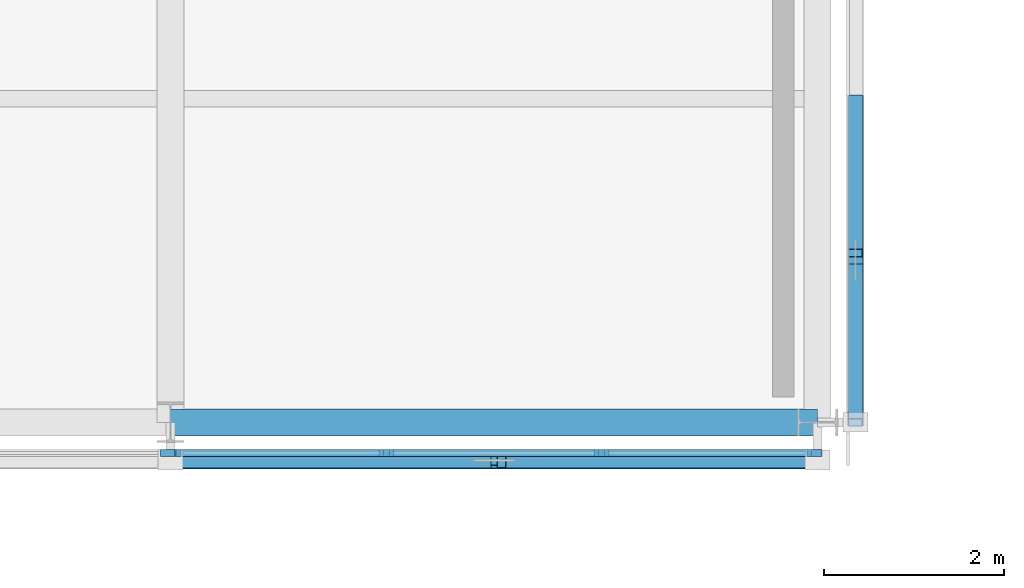
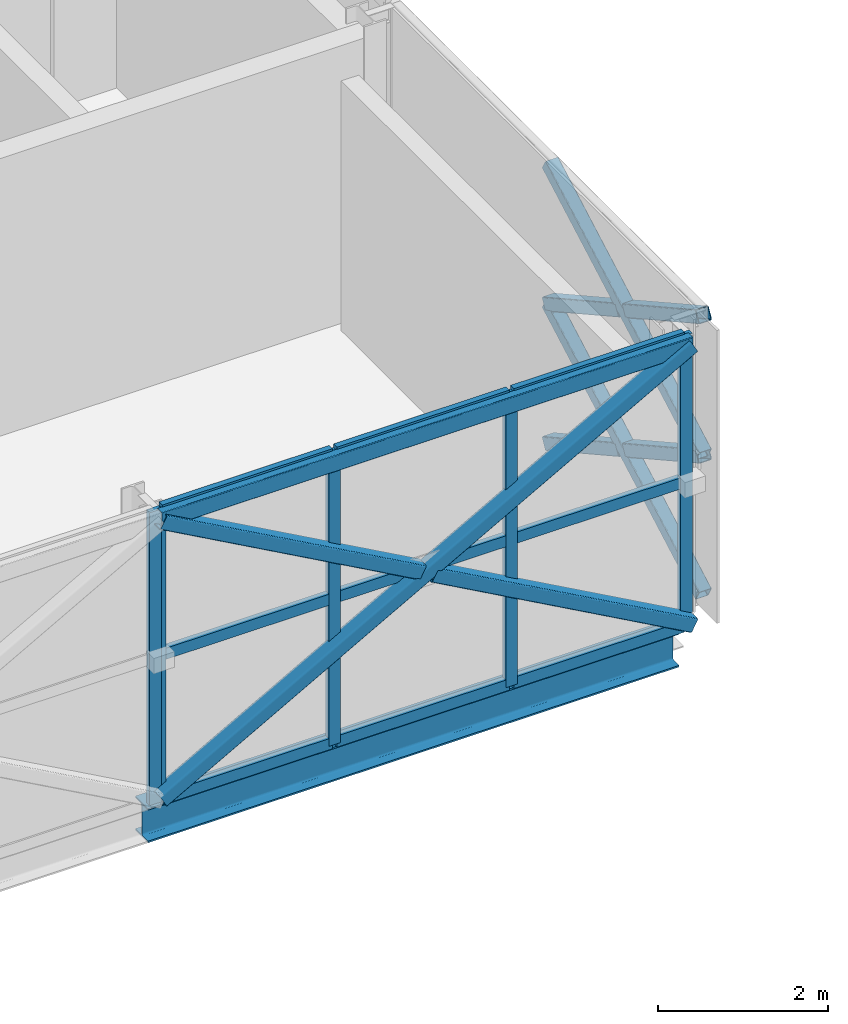
# One storey, part 62 of 146: 24 members, 1 beam, 2 elements without a shape of their own.
"""IFC4 building model written with IfcOpenShell, lengths in metres."""

from ifc_helpers import new_model, si_unit, direction, frame, origin, origin_2d, place, context, subcontext, project, spatial, rectangle, hollow_rectangle, i_section, extrude, material, material_profile, profile_set, type_object, element, aggregate, save


model = new_model("IFC4")

# Units and contexts
model_context = context("Model", 3, precision=1e-05, world=origin(), true_north=direction((0.0, 1.0)))
body_context = subcontext(model_context, "Body", "Model", "MODEL_VIEW")
ifc_project = project(units=[si_unit("LENGTHUNIT", "METRE"), si_unit("AREAUNIT", "SQUARE_METRE"), si_unit("VOLUMEUNIT", "CUBIC_METRE"), si_unit("PLANEANGLEUNIT", "RADIAN"), si_unit("MASSUNIT", "GRAM", prefix="KILO")], contexts=[model_context])

# Site, building, storey
site_placement = place(None, origin())
site = spatial("IfcSite", under=ifc_project, at=site_placement, CompositionType="ELEMENT")
building_placement = place(site_placement, origin())
building = spatial("IfcBuilding", under=site, at=building_placement, Name="Zlatovets Crest Museum", CompositionType="ELEMENT")
storey_placement = place(building_placement, frame((0.0, 0.0, 4.5)))
storey = spatial("IfcBuildingStorey", under=building, at=storey_placement, Name="L01", CompositionType="ELEMENT", Elevation=4.5)

# Beam
ifc_material_1 = material(Name="Structural steel S355J2", Category="steel")
ifc_material_profile_1 = material_profile(ifc_material_1, i_section(OverallWidth=0.300048828125, OverallDepth=0.489990234375, WebThickness=0.011962890625, FlangeThickness=0.02294921875, FilletRadius=0.027099609375, at=origin_2d()), Name="HEA 500")
ifc_profile_set_1 = profile_set([ifc_material_profile_1], Name="Structural steel S355J2")
beam_type = type_object("IfcBeamType", Name="Beam_B-01", PredefinedType="BEAM", material=ifc_profile_set_1)
beam_placement = place(storey_placement, frame((100.800048828125, 86.39990234375, -0.465087890625), z_axis=(1.0, 0.0, 0.0), x_axis=(0.0, 1.0, 0.0)))
element("IfcBeam", 1, at=beam_placement, inside=storey, type_object=beam_type, Name="V1 L01 Primary Girder B-01", PredefinedType="BEAM", context=body_context, shape_type="SweptSolid", body=[
    extrude(i_section(OverallWidth=0.300048828125, OverallDepth=0.489990234375, WebThickness=0.011962890625, FlangeThickness=0.02294921875, FilletRadius=0.027099609375, at=origin_2d()), origin(), (0.0, 0.0, 1.0), 7.199951171875),
])

# Curtain wall, member
ifc_material_2 = material(Name="Bronze-anodised aluminium and low-E triple glass", Category="aluminium")
curtain_wall_type_1 = type_object("IfcCurtainWallType", Name="CW_CW-V1-L01-M1", PredefinedType="NOTDEFINED", material=ifc_material_2)
curtain_wall_1_placement = place(storey_placement, origin())
curtain_wall_1 = element("IfcCurtainWall", 2, at=curtain_wall_1_placement, inside=storey, type_object=curtain_wall_type_1, Name="V1 L01 Secession Foyer Clear Curtain Wall", PredefinedType="NOTDEFINED")
ifc_material_3 = material(Name="Bronze-anodised aluminium EN AW-6060", Category="aluminium")
ifc_material_profile_2 = material_profile(ifc_material_3, rectangle(XDim=0.080078125, YDim=0.159912109375, at=origin_2d()), Name="ALU 80x160")
ifc_profile_set_2 = profile_set([ifc_material_profile_2], Name="Bronze-anodised aluminium EN AW-6060")
member_type_1 = type_object("IfcMemberType", Name="CWMull_M1", PredefinedType="MULLION", material=ifc_profile_set_2)
member_1_placement = place(storey_placement, frame((100.77001953125, 86.06005859375, 0.0), z_axis=(0.0, 0.0, 1.0), x_axis=(0.0, 1.0, 0.0)))
member_1 = element("IfcMember", 3, at=member_1_placement, type_object=member_type_1, Name="CW-V1-L01-M1 mullion 4", PredefinedType="MULLION", context=body_context, shape_type="SweptSolid", body=[
    extrude(rectangle(XDim=0.080078125, YDim=0.159912109375, at=origin_2d()), origin(), (0.0, 0.0, 1.0), 4.199951171875),
])
aggregate(curtain_wall_1, [member_1])

# Curtain wall, members
curtain_wall_type_2 = type_object("IfcCurtainWallType", Name="CW_CW-V1-L01-M2", PredefinedType="NOTDEFINED", material=ifc_material_2)
curtain_wall_2_placement = place(storey_placement, origin())
curtain_wall_2 = element("IfcCurtainWall", 4, at=curtain_wall_2_placement, inside=storey, type_object=curtain_wall_type_2, Name="V1 L01 Secession Foyer Clear Curtain Wall", PredefinedType="NOTDEFINED")
member_2_placement = place(storey_placement, frame((100.830078125, 86.06005859375, 0.0), z_axis=(0.0, 0.0, 1.0), x_axis=(0.0, 1.0, 0.0)))
member_2 = element("IfcMember", 5, at=member_2_placement, type_object=member_type_1, Name="CW-V1-L01-M2 mullion 1", PredefinedType="MULLION", context=body_context, shape_type="SweptSolid", body=[
    extrude(rectangle(XDim=0.080078125, YDim=0.159912109375, at=origin_2d()), origin(), (0.0, 0.0, 1.0), 4.199951171875),
])
member_3_placement = place(storey_placement, frame((103.199951171875, 86.06005859375, 0.0), z_axis=(0.0, 0.0, 1.0), x_axis=(0.0, 1.0, 0.0)))
member_3 = element("IfcMember", 6, at=member_3_placement, type_object=member_type_1, Name="CW-V1-L01-M2 mullion 2", PredefinedType="MULLION", context=body_context, shape_type="SweptSolid", body=[
    extrude(rectangle(XDim=0.080078125, YDim=0.159912109375, at=origin_2d()), origin(), (0.0, 0.0, 1.0), 4.199951171875),
])
member_4_placement = place(storey_placement, frame((105.60009765625, 86.06005859375, 0.0), z_axis=(0.0, 0.0, 1.0), x_axis=(0.0, 1.0, 0.0)))
member_4 = element("IfcMember", 7, at=member_4_placement, type_object=member_type_1, Name="CW-V1-L01-M2 mullion 3", PredefinedType="MULLION", context=body_context, shape_type="SweptSolid", body=[
    extrude(rectangle(XDim=0.080078125, YDim=0.159912109375, at=origin_2d()), origin(), (0.0, 0.0, 1.0), 4.199951171875),
])
member_5_placement = place(storey_placement, frame((107.969970703125, 86.06005859375, 0.0), z_axis=(0.0, 0.0, 1.0), x_axis=(0.0, 1.0, 0.0)))
member_5 = element("IfcMember", 8, at=member_5_placement, type_object=member_type_1, Name="CW-V1-L01-M2 mullion 4", PredefinedType="MULLION", context=body_context, shape_type="SweptSolid", body=[
    extrude(rectangle(XDim=0.080078125, YDim=0.159912109375, at=origin_2d()), origin(), (0.0, 0.0, 1.0), 4.199951171875),
])
ifc_material_profile_3 = material_profile(ifc_material_3, rectangle(XDim=0.080078125, YDim=0.159912109375, at=origin_2d()), Name="ALU 80x160")
ifc_profile_set_3 = profile_set([ifc_material_profile_3], Name="Bronze-anodised aluminium EN AW-6060")
member_type_2 = type_object("IfcMemberType", Name="CWTrans_T1", PredefinedType="USERDEFINED", material=ifc_profile_set_3)
member_6_placement = place(storey_placement, frame((100.860107421875, 86.06005859375, 0.030029296875), z_axis=(1.0, 0.0, 0.0), x_axis=(0.0, 1.0, 0.0)))
member_6 = element("IfcMember", 9, at=member_6_placement, type_object=member_type_2, Name="CW-V1-L01-M2 transom 1.1", ObjectType="TRANSOM", PredefinedType="USERDEFINED", context=body_context, shape_type="SweptSolid", body=[
    extrude(rectangle(XDim=0.080078125, YDim=0.159912109375, at=origin_2d()), origin(), (0.0, 0.0, 1.0), 2.309814453125),
])
member_7_placement = place(storey_placement, frame((100.860107421875, 86.06005859375, 2.10009765625), z_axis=(1.0, 0.0, 0.0), x_axis=(0.0, 1.0, 0.0)))
member_7 = element("IfcMember", 10, at=member_7_placement, type_object=member_type_2, Name="CW-V1-L01-M2 transom 1.2", ObjectType="TRANSOM", PredefinedType="USERDEFINED", context=body_context, shape_type="SweptSolid", body=[
    extrude(rectangle(XDim=0.080078125, YDim=0.159912109375, at=origin_2d()), origin(), (0.0, 0.0, 1.0), 2.309814453125),
])
member_8_placement = place(storey_placement, frame((100.860107421875, 86.06005859375, 4.169921875), z_axis=(1.0, 0.0, 0.0), x_axis=(0.0, 1.0, 0.0)))
member_8 = element("IfcMember", 11, at=member_8_placement, type_object=member_type_2, Name="CW-V1-L01-M2 transom 1.3", ObjectType="TRANSOM", PredefinedType="USERDEFINED", context=body_context, shape_type="SweptSolid", body=[
    extrude(rectangle(XDim=0.080078125, YDim=0.159912109375, at=origin_2d()), origin(), (0.0, 0.0, 1.0), 2.309814453125),
])
member_9_placement = place(storey_placement, frame((103.22998046875, 86.06005859375, 0.030029296875), z_axis=(1.0, 0.0, 0.0), x_axis=(0.0, 1.0, 0.0)))
member_9 = element("IfcMember", 12, at=member_9_placement, type_object=member_type_2, Name="CW-V1-L01-M2 transom 2.1", ObjectType="TRANSOM", PredefinedType="USERDEFINED", context=body_context, shape_type="SweptSolid", body=[
    extrude(rectangle(XDim=0.080078125, YDim=0.159912109375, at=origin_2d()), origin(), (0.0, 0.0, 1.0), 2.340087890625),
])
member_10_placement = place(storey_placement, frame((103.22998046875, 86.06005859375, 2.10009765625), z_axis=(1.0, 0.0, 0.0), x_axis=(0.0, 1.0, 0.0)))
member_10 = element("IfcMember", 13, at=member_10_placement, type_object=member_type_2, Name="CW-V1-L01-M2 transom 2.2", ObjectType="TRANSOM", PredefinedType="USERDEFINED", context=body_context, shape_type="SweptSolid", body=[
    extrude(rectangle(XDim=0.080078125, YDim=0.159912109375, at=origin_2d()), origin(), (0.0, 0.0, 1.0), 2.340087890625),
])
member_11_placement = place(storey_placement, frame((103.22998046875, 86.06005859375, 4.169921875), z_axis=(1.0, 0.0, 0.0), x_axis=(0.0, 1.0, 0.0)))
member_11 = element("IfcMember", 14, at=member_11_placement, type_object=member_type_2, Name="CW-V1-L01-M2 transom 2.3", ObjectType="TRANSOM", PredefinedType="USERDEFINED", context=body_context, shape_type="SweptSolid", body=[
    extrude(rectangle(XDim=0.080078125, YDim=0.159912109375, at=origin_2d()), origin(), (0.0, 0.0, 1.0), 2.340087890625),
])
member_12_placement = place(storey_placement, frame((105.6298828125, 86.06005859375, 0.030029296875), z_axis=(1.0, 0.0, 0.0), x_axis=(0.0, 1.0, 0.0)))
member_12 = element("IfcMember", 15, at=member_12_placement, type_object=member_type_2, Name="CW-V1-L01-M2 transom 3.1", ObjectType="TRANSOM", PredefinedType="USERDEFINED", context=body_context, shape_type="SweptSolid", body=[
    extrude(rectangle(XDim=0.080078125, YDim=0.159912109375, at=origin_2d()), origin(), (0.0, 0.0, 1.0), 2.31005859375),
])
member_13_placement = place(storey_placement, frame((105.6298828125, 86.06005859375, 2.10009765625), z_axis=(1.0, 0.0, 0.0), x_axis=(0.0, 1.0, 0.0)))
member_13 = element("IfcMember", 16, at=member_13_placement, type_object=member_type_2, Name="CW-V1-L01-M2 transom 3.2", ObjectType="TRANSOM", PredefinedType="USERDEFINED", context=body_context, shape_type="SweptSolid", body=[
    extrude(rectangle(XDim=0.080078125, YDim=0.159912109375, at=origin_2d()), origin(), (0.0, 0.0, 1.0), 2.31005859375),
])
member_14_placement = place(storey_placement, frame((105.6298828125, 86.06005859375, 4.169921875), z_axis=(1.0, 0.0, 0.0), x_axis=(0.0, 1.0, 0.0)))
member_14 = element("IfcMember", 17, at=member_14_placement, type_object=member_type_2, Name="CW-V1-L01-M2 transom 3.3", ObjectType="TRANSOM", PredefinedType="USERDEFINED", context=body_context, shape_type="SweptSolid", body=[
    extrude(rectangle(XDim=0.080078125, YDim=0.159912109375, at=origin_2d()), origin(), (0.0, 0.0, 1.0), 2.31005859375),
])
aggregate(curtain_wall_2, [member_2, member_3, member_4, member_5, member_6, member_7, member_8, member_9, member_10, member_11, member_12, member_13, member_14])

# Members
ifc_material_4 = material(Name="Weathering bronze-steel S355J2W", Category="steel")
ifc_material_profile_4 = material_profile(ifc_material_4, hollow_rectangle(XDim=0.179931640625, YDim=0.179931640625, WallThickness=0.010009765625, InnerFilletRadius=0.010009765625, OuterFilletRadius=0.02001953125, at=origin_2d()), Name="SHS 180x180x10.0")
ifc_profile_set_4 = profile_set([ifc_material_profile_4], Name="Weathering bronze-steel S355J2W")
member_type_3 = type_object("IfcMemberType", Name="Lattice_XL-01", PredefinedType="BRACE", material=ifc_profile_set_4)
member_15_placement = place(storey_placement, frame((108.419921875, 86.39990234375, 0.10009765625), z_axis=(0.0, 0.874162868644, 0.485632864501), x_axis=(-1.0, 0.0, 0.0)))
element("IfcMember", 18, at=member_15_placement, inside=storey, type_object=member_type_3, Name="Continuous Bronze Lattice Diagonal", PredefinedType="BRACE", context=body_context, shape_type="SweptSolid", body=[
    extrude(hollow_rectangle(XDim=0.179931640625, YDim=0.179931640625, WallThickness=0.010009765625, InnerFilletRadius=0.010009765625, OuterFilletRadius=0.02001953125, at=origin_2d()), origin(), (0.0, 0.0, 1.0), 4.118408203125),
])
member_16_placement = place(storey_placement, frame((108.419921875, 86.39990234375, 2.10009765625), z_axis=(0.0, 0.874116234569, -0.48571679862), x_axis=(-1.0, 0.0, 0.0)))
element("IfcMember", 19, at=member_16_placement, inside=storey, type_object=member_type_3, Name="Split Crossing Bronze Lattice Diagonal Upper", PredefinedType="BRACE", context=body_context, shape_type="SweptSolid", body=[
    extrude(hollow_rectangle(XDim=0.179931640625, YDim=0.179931640625, WallThickness=0.010009765625, InnerFilletRadius=0.010009765625, OuterFilletRadius=0.02001953125, at=origin_2d()), origin(), (0.0, 0.0, 1.0), 1.96435546875),
])
member_17_placement = place(storey_placement, frame((108.419921875, 88.282958984375, 1.053955078125), z_axis=(0.0, 0.874169001841, -0.485621824284), x_axis=(-1.0, 0.0, 0.0)))
element("IfcMember", 20, at=member_17_placement, inside=storey, type_object=member_type_3, Name="Split Crossing Bronze Lattice Diagonal Lower", PredefinedType="BRACE", context=body_context, shape_type="SweptSolid", body=[
    extrude(hollow_rectangle(XDim=0.179931640625, YDim=0.179931640625, WallThickness=0.010009765625, InnerFilletRadius=0.010009765625, OuterFilletRadius=0.02001953125, at=origin_2d()), origin(), (0.0, 0.0, 1.0), 1.964111328125),
])
member_18_placement = place(storey_placement, frame((108.419921875, 86.39990234375, 2.10009765625), z_axis=(0.0, 0.874162868644, 0.485632864501), x_axis=(-1.0, 0.0, 0.0)))
element("IfcMember", 21, at=member_18_placement, inside=storey, type_object=member_type_3, Name="Continuous Bronze Lattice Diagonal", PredefinedType="BRACE", context=body_context, shape_type="SweptSolid", body=[
    extrude(hollow_rectangle(XDim=0.179931640625, YDim=0.179931640625, WallThickness=0.010009765625, InnerFilletRadius=0.010009765625, OuterFilletRadius=0.02001953125, at=origin_2d()), origin(), (0.0, 0.0, 1.0), 4.118408203125),
])
member_19_placement = place(storey_placement, frame((108.419921875, 86.39990234375, 4.10009765625), z_axis=(0.0, 0.874116234569, -0.48571679862), x_axis=(-1.0, 0.0, 0.0)))
element("IfcMember", 22, at=member_19_placement, inside=storey, type_object=member_type_3, Name="Split Crossing Bronze Lattice Diagonal Upper", PredefinedType="BRACE", context=body_context, shape_type="SweptSolid", body=[
    extrude(hollow_rectangle(XDim=0.179931640625, YDim=0.179931640625, WallThickness=0.010009765625, InnerFilletRadius=0.010009765625, OuterFilletRadius=0.02001953125, at=origin_2d()), origin(), (0.0, 0.0, 1.0), 1.96435546875),
])
member_20_placement = place(storey_placement, frame((108.419921875, 88.282958984375, 3.053955078125), z_axis=(0.0, 0.874169001841, -0.485621824284), x_axis=(-1.0, 0.0, 0.0)))
element("IfcMember", 23, at=member_20_placement, inside=storey, type_object=member_type_3, Name="Split Crossing Bronze Lattice Diagonal Lower", PredefinedType="BRACE", context=body_context, shape_type="SweptSolid", body=[
    extrude(hollow_rectangle(XDim=0.179931640625, YDim=0.179931640625, WallThickness=0.010009765625, InnerFilletRadius=0.010009765625, OuterFilletRadius=0.02001953125, at=origin_2d()), origin(), (0.0, 0.0, 1.0), 1.964111328125),
])
ifc_material_profile_5 = material_profile(ifc_material_4, hollow_rectangle(XDim=0.199951171875, YDim=0.199951171875, WallThickness=0.012451171875, InnerFilletRadius=0.012451171875, OuterFilletRadius=0.02490234375, at=origin_2d()), Name="SHS 200x200x12.5")
ifc_profile_set_5 = profile_set([ifc_material_profile_5], Name="Weathering bronze-steel S355J2W")
member_type_4 = type_object("IfcMemberType", Name="Lattice_XL-02", PredefinedType="BRACE", material=ifc_profile_set_5)
member_21_placement = place(storey_placement, frame((100.800048828125, 85.97998046875, 0.10009765625), z_axis=(0.874155877937, 0.0, 0.485645447903), x_axis=(0.0, 1.0, 0.0)))
element("IfcMember", 24, at=member_21_placement, inside=storey, type_object=member_type_4, Name="Continuous Bronze Lattice Diagonal", PredefinedType="BRACE", context=body_context, shape_type="SweptSolid", body=[
    extrude(hollow_rectangle(XDim=0.199951171875, YDim=0.199951171875, WallThickness=0.012451171875, InnerFilletRadius=0.012451171875, OuterFilletRadius=0.02490234375, at=origin_2d()), origin(), (0.0, 0.0, 1.0), 8.236572265625),
])
member_22_placement = place(storey_placement, frame((100.800048828125, 85.97998046875, 4.10009765625), z_axis=(0.874125788284, 0.0, -0.485699604958), x_axis=(0.0, 1.0, 0.0)))
element("IfcMember", 25, at=member_22_placement, inside=storey, type_object=member_type_4, Name="Split Crossing Bronze Lattice Diagonal Upper", PredefinedType="BRACE", context=body_context, shape_type="SweptSolid", body=[
    extrude(hollow_rectangle(XDim=0.199951171875, YDim=0.199951171875, WallThickness=0.012451171875, InnerFilletRadius=0.012451171875, OuterFilletRadius=0.02490234375, at=origin_2d()), origin(), (0.0, 0.0, 1.0), 4.023193359375),
])
member_23_placement = place(storey_placement, frame((104.48291015625, 85.97998046875, 2.053955078125), z_axis=(0.874165862873, 0.0, -0.485627474703), x_axis=(0.0, 1.0, 0.0)))
element("IfcMember", 26, at=member_23_placement, inside=storey, type_object=member_type_4, Name="Split Crossing Bronze Lattice Diagonal Lower", PredefinedType="BRACE", context=body_context, shape_type="SweptSolid", body=[
    extrude(hollow_rectangle(XDim=0.199951171875, YDim=0.199951171875, WallThickness=0.012451171875, InnerFilletRadius=0.012451171875, OuterFilletRadius=0.02490234375, at=origin_2d()), origin(), (0.0, 0.0, 1.0), 4.0234375),
])
ifc_material_profile_6 = material_profile(ifc_material_4, hollow_rectangle(XDim=0.1201171875, YDim=0.239990234375, WallThickness=0.010009765625, InnerFilletRadius=0.010009765625, OuterFilletRadius=0.02001953125, at=origin_2d()), Name="RHS 120x240x10.0")
ifc_profile_set_6 = profile_set([ifc_material_profile_6], Name="Weathering bronze-steel S355J2W")
member_type_5 = type_object("IfcMemberType", Name="Lattice_XL-04", PredefinedType="CHORD", material=ifc_profile_set_6)
member_24_placement = place(storey_placement, frame((100.800048828125, 85.97998046875, 4.10009765625), z_axis=(1.0, 0.0, 0.0), x_axis=(0.0, 1.0, 0.0)))
element("IfcMember", 27, at=member_24_placement, inside=storey, type_object=member_type_5, Name="Art Nouveau Woven Cage Collector Ring Chord", PredefinedType="CHORD", context=body_context, shape_type="SweptSolid", body=[
    extrude(hollow_rectangle(XDim=0.1201171875, YDim=0.239990234375, WallThickness=0.010009765625, InnerFilletRadius=0.010009765625, OuterFilletRadius=0.02001953125, at=origin_2d()), origin(), (0.0, 0.0, 1.0), 7.199951171875),
])

save(model, "model.ifc")
